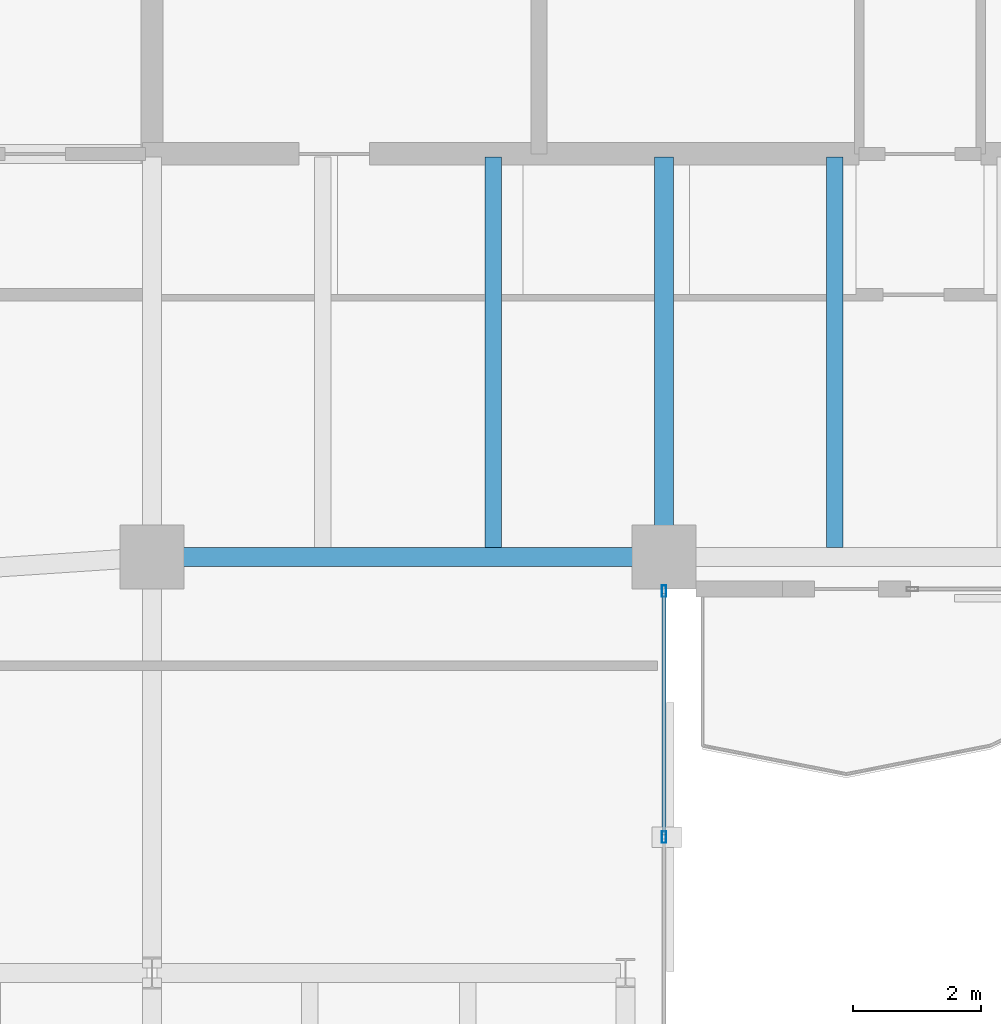
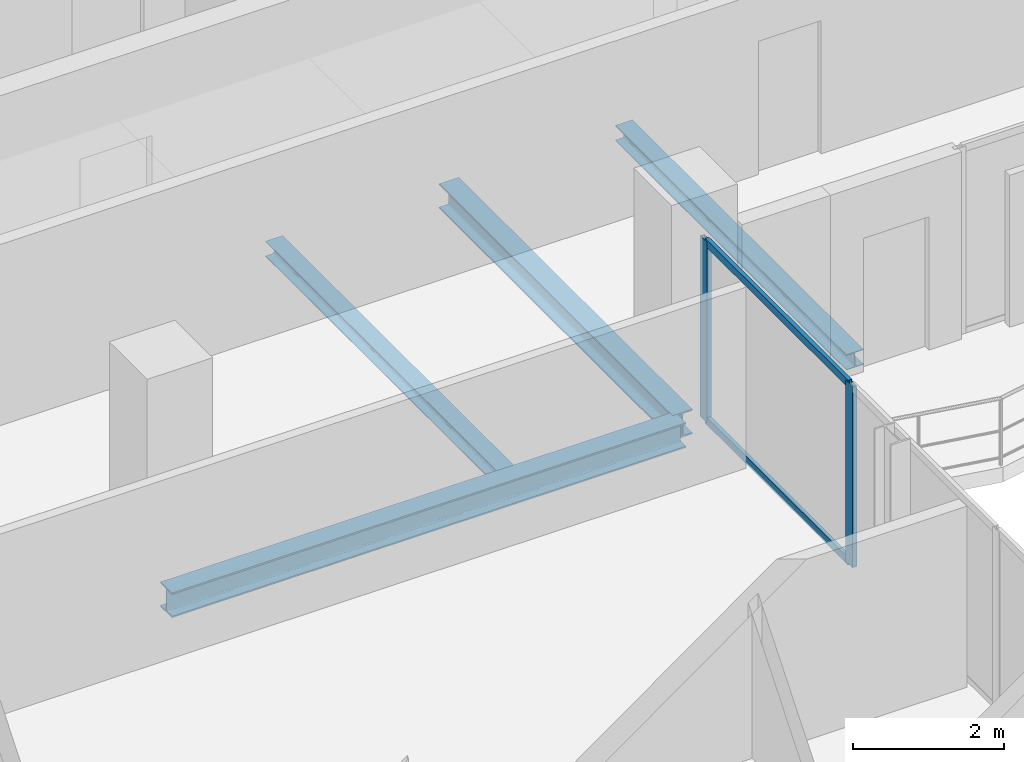
# One storey, part 10 of 23: 4 beams, 4 members, 1 element without a shape of its own.
"""IFC4 building model written with IfcOpenShell, lengths in metres."""

from ifc_helpers import new_model, si_unit, direction, frame, origin, origin_2d, place, context, subcontext, project, spatial, hollow_rectangle, i_section, extrude, material, layer, layer_set, material_profile, profile_set, type_object, element, aggregate, save


model = new_model("IFC4")

# Units and contexts
model_context = context("Model", 3, precision=1e-05, world=origin(), true_north=direction((0.0, 1.0)))
body_context = subcontext(model_context, "Body", "Model", "MODEL_VIEW")
ifc_project = project(units=[si_unit("LENGTHUNIT", "METRE"), si_unit("AREAUNIT", "SQUARE_METRE"), si_unit("VOLUMEUNIT", "CUBIC_METRE"), si_unit("PLANEANGLEUNIT", "RADIAN"), si_unit("MASSUNIT", "GRAM", prefix="KILO")], contexts=[model_context])

# Site, building, storey
site_placement = place(None, origin())
site = spatial("IfcSite", under=ifc_project, at=site_placement, CompositionType="ELEMENT")
building_placement = place(site_placement, origin())
building = spatial("IfcBuilding", under=site, at=building_placement, Name="Catumbela Crestline Tower", CompositionType="ELEMENT")
storey_placement = place(building_placement, frame((0.0, 0.0, 193.8)))
storey = spatial("IfcBuildingStorey", under=building, at=storey_placement, Name="L50", CompositionType="ELEMENT", Elevation=193.8)

# Beams
ifc_material_1 = material(Name="Structural steel S355J2", Category="steel")
ifc_material_profile_1 = material_profile(ifc_material_1, i_section(OverallWidth=0.3, OverallDepth=0.4, WebThickness=0.0135, FlangeThickness=0.024, FilletRadius=0.027, at=origin_2d()), Name="HEB 400")
ifc_profile_set_1 = profile_set([ifc_material_profile_1], Name="Structural steel S355J2")
beam_type_1 = type_object("IfcBeamType", Name="BG-HEB400", PredefinedType="BEAM", material=ifc_profile_set_1)
beam_1_placement = place(storey_placement, frame((16.08, 24.5, -0.46), z_axis=(1.0, 0.0, 0.0), x_axis=(0.0, 1.0, 0.0)))
element("IfcBeam", 1, at=beam_1_placement, inside=storey, type_object=beam_type_1, Name="L50 Beam BM-L50-S03", PredefinedType="BEAM", context=body_context, shape_type="SweptSolid", body=[
    extrude(i_section(OverallWidth=0.3, OverallDepth=0.4, WebThickness=0.0135, FlangeThickness=0.024, FilletRadius=0.027, at=origin_2d()), origin(), (0.0, 0.0, 1.0), 7.84),
])
beam_2_placement = place(storey_placement, frame((24.0, 24.58, -0.46), z_axis=(0.0, 1.0, 0.0), x_axis=(-1.0, 0.0, 0.0)))
element("IfcBeam", 2, at=beam_2_placement, inside=storey, type_object=beam_type_1, Name="L50 Beam BM-L50-SNS18", PredefinedType="BEAM", context=body_context, shape_type="SweptSolid", body=[
    extrude(i_section(OverallWidth=0.3, OverallDepth=0.4, WebThickness=0.0135, FlangeThickness=0.024, FilletRadius=0.027, at=origin_2d()), origin(), (0.0, 0.0, 1.0), 6.17),
])
ifc_material_profile_2 = material_profile(ifc_material_1, i_section(OverallWidth=0.26, OverallDepth=0.25, WebThickness=0.0075, FlangeThickness=0.0125, FilletRadius=0.024, at=origin_2d()), Name="HEA 260")
ifc_profile_set_2 = profile_set([ifc_material_profile_2], Name="Structural steel S355J2")
beam_type_2 = type_object("IfcBeamType", Name="BJ-HEA260", PredefinedType="JOIST", material=ifc_profile_set_2)
for number, where, z_axis, x_axis, name in (
    (3, (21.333, 24.647, -0.385), (0.0, 1.0, 0.0), (-1.0, 0.0, 0.0), "L50 Joist JS-L50-SP27"),
    (4, (26.667, 24.647, -0.385), (0.0, 1.0, 0.0), (-1.0, 0.0, 0.0), "L50 Joist JS-L50-SP28"),
):
    element("IfcBeam", number, at=place(storey_placement, frame(where, z_axis=z_axis, x_axis=x_axis)), inside=storey, type_object=beam_type_2, Name=name, PredefinedType="JOIST", context=body_context, shape_type="SweptSolid", body=[
        extrude(i_section(OverallWidth=0.26, OverallDepth=0.25, WebThickness=0.0075, FlangeThickness=0.0125, FilletRadius=0.024, at=origin_2d()), origin(), (0.0, 0.0, 1.0), 6.103),
    ])

# Curtain wall, members
ifc_material_2 = material(Name="Aluminium alloy AW-6060-T66", Category="aluminium")
ifc_layer = layer(ifc_material_2, 0.18, Name="Aluminium alloy AW-6060-T66")
ifc_layer_set = layer_set([ifc_layer], Name="Aluminium alloy AW-6060-T66")
curtain_wall_type = type_object("IfcCurtainWallType", Name="CWU-Z3", PredefinedType="USERDEFINED", material=ifc_layer_set)
curtain_wall_placement = place(storey_placement, origin())
curtain_wall = element("IfcCurtainWall", 5, at=curtain_wall_placement, inside=storey, type_object=curtain_wall_type, Name="L50 Unitised Curtain Wall CW-L50-E2S1", ObjectType="UNITISED", PredefinedType="USERDEFINED")
ifc_material_profile_3 = material_profile(ifc_material_2, hollow_rectangle(XDim=0.065, YDim=0.18, WallThickness=0.004, at=origin_2d()), Name="ALU 180x65x4")
ifc_profile_set_3 = profile_set([ifc_material_profile_3], Name="Aluminium alloy AW-6060-T66")
member_type_1 = type_object("IfcMemberType", Name="MUL-180X65", PredefinedType="MULLION", material=ifc_profile_set_3)
member_1_placement = place(storey_placement, frame((24.0, 20.125, 0.0), z_axis=(0.0, 0.0, 1.0), x_axis=(-1.0, 0.0, 0.0)))
member_1 = element("IfcMember", 6, at=member_1_placement, type_object=member_type_1, Name="CWU-Z3 mullion 4", PredefinedType="MULLION", context=body_context, shape_type="SweptSolid", body=[
    extrude(hollow_rectangle(XDim=0.065, YDim=0.18, WallThickness=0.004, at=origin_2d()), origin(), (0.0, 0.0, 1.0), 2.92),
])
member_2_placement = place(storey_placement, frame((24.0, 23.9675, 0.0), z_axis=(0.0, 0.0, 1.0), x_axis=(-1.0, 0.0, 0.0)))
member_2 = element("IfcMember", 7, at=member_2_placement, type_object=member_type_1, Name="CWU-Z3 mullion 5", PredefinedType="MULLION", context=body_context, shape_type="SweptSolid", body=[
    extrude(hollow_rectangle(XDim=0.065, YDim=0.18, WallThickness=0.004, at=origin_2d()), origin(), (0.0, 0.0, 1.0), 2.92),
])
ifc_material_profile_4 = material_profile(ifc_material_2, hollow_rectangle(XDim=0.06, YDim=0.12, WallThickness=0.0035, at=origin_2d()), Name="ALU 120x60x3.5")
ifc_profile_set_4 = profile_set([ifc_material_profile_4], Name="Aluminium alloy AW-6060-T66")
member_type_2 = type_object("IfcMemberType", Name="TRN-120X60", PredefinedType="USERDEFINED", material=ifc_profile_set_4)
member_3_placement = place(storey_placement, frame((24.0, 20.1575, 0.03), z_axis=(0.0, 1.0, 0.0), x_axis=(-1.0, 0.0, 0.0)))
member_3 = element("IfcMember", 8, at=member_3_placement, type_object=member_type_2, Name="CWU-Z3 transom 4.1", ObjectType="TRANSOM", PredefinedType="USERDEFINED", context=body_context, shape_type="SweptSolid", body=[
    extrude(hollow_rectangle(XDim=0.06, YDim=0.12, WallThickness=0.0035, at=origin_2d()), origin(), (0.0, 0.0, 1.0), 3.7775),
])
member_4_placement = place(storey_placement, frame((24.0, 20.1575, 2.89), z_axis=(0.0, 1.0, 0.0), x_axis=(-1.0, 0.0, 0.0)))
member_4 = element("IfcMember", 9, at=member_4_placement, type_object=member_type_2, Name="CWU-Z3 transom 4.2", ObjectType="TRANSOM", PredefinedType="USERDEFINED", context=body_context, shape_type="SweptSolid", body=[
    extrude(hollow_rectangle(XDim=0.06, YDim=0.12, WallThickness=0.0035, at=origin_2d()), origin(), (0.0, 0.0, 1.0), 3.7775),
])
aggregate(curtain_wall, [member_1, member_2, member_3, member_4])

save(model, "model.ifc")
